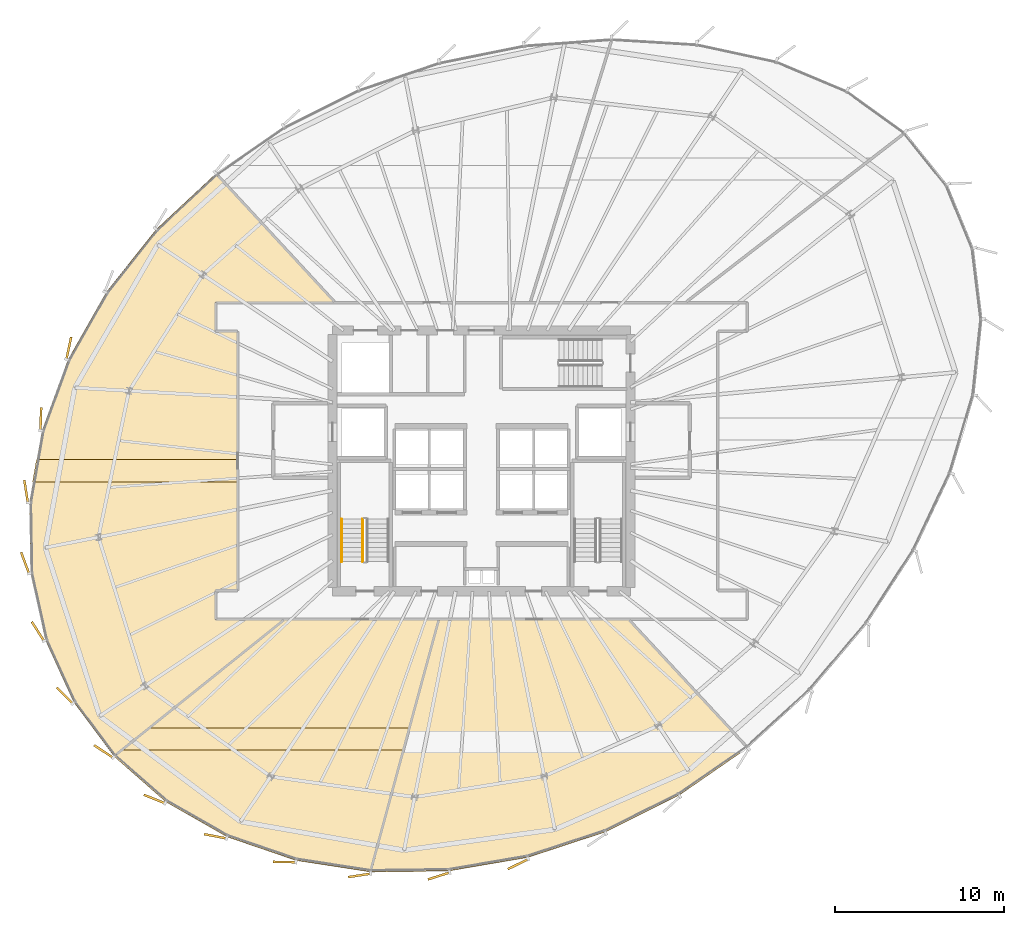
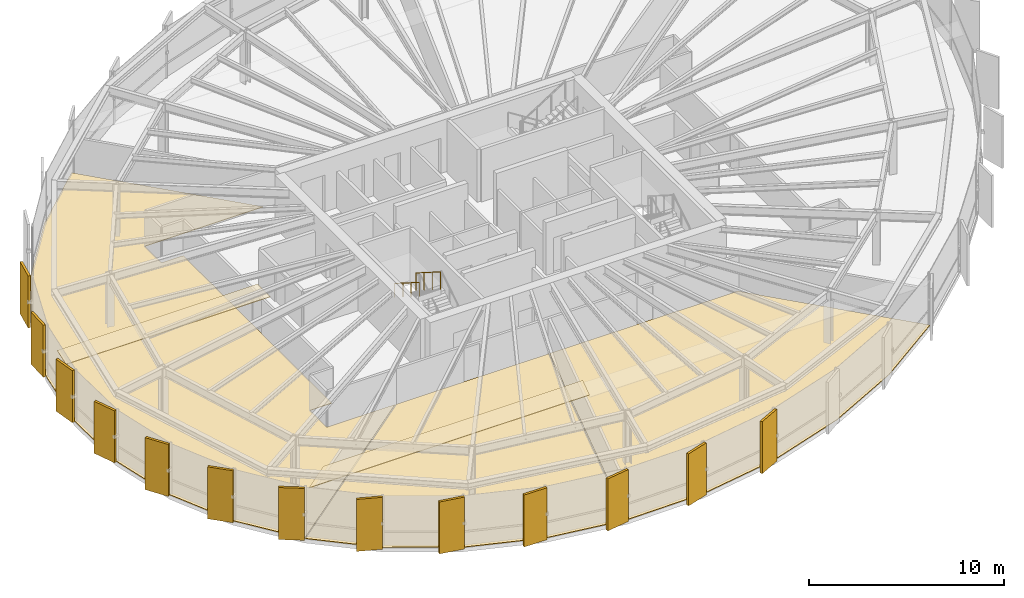
# One storey, part 29 of 32: 18 coverings, 2 railings.
"""IFC4 building model written with IfcOpenShell, lengths in metres."""

import ifcopenshell
import ifcopenshell.guid

model = None  # the IFC model being written
_history = None  # IfcOwnerHistory: only IFC2X3 demands one
_inside = {}  # id of a spatial element -> (the spatial element, [elements in it])
_under = {}  # id of a project, library or spatial element -> (it, [spatial elements below it])
_declared = {}  # id of a project -> (the project, [libraries it declares])
_typed = {}  # id of a type object -> (the type object, [elements of that type])
_made_of = {}  # id of a material, layer set ... -> (it, [elements and type objects made of it])


def new_model(schema):
    """Start an empty IFC model of exactly this schema.

    Asked for "IFC4X3", IfcOpenShell would pick the latest addendum, in which some entities
    have other attributes; the version numbers below select the first issue.
    IFC2X3 requires an IfcOwnerHistory on every rooted entity: one is made here for all.
    """
    global model, _history
    if schema == "IFC4X3":
        model = ifcopenshell.file(schema_version=(4, 3, 0, 0))
    else:
        model = ifcopenshell.file(schema=schema)
    _inside.clear()
    _under.clear()
    _declared.clear()
    _typed.clear()
    _made_of.clear()
    _history = None
    if model.schema == "IFC2X3":
        org = make("IfcOrganization", Name="unknown")
        user = make(
            "IfcPersonAndOrganization",
            ThePerson=make("IfcPerson", FamilyName="unknown"),
            TheOrganization=org,
        )
        app = make(
            "IfcApplication",
            ApplicationDeveloper=org,
            Version="unknown",
            ApplicationFullName="unknown",
            ApplicationIdentifier="unknown",
        )
        _history = make(
            "IfcOwnerHistory",
            OwningUser=user,
            OwningApplication=app,
            ChangeAction="ADDED",
            CreationDate=0,
        )
    return model


def make(cls, **values):
    """One entity of the class cls with the attributes given. An attribute that is None is left unset."""
    return model.create_entity(
        cls, **{name: value for name, value in values.items() if value is not None}
    )


def rooted(cls, **values):
    """An entity with a GlobalId (a new one), such as an element, a storey or a relation."""
    return make(cls, GlobalId=ifcopenshell.guid.new(), OwnerHistory=_history, **values)


def si_unit(unit_type, name, prefix=None):
    """IfcSIUnit, for example si_unit("LENGTHUNIT", "METRE", prefix="MILLI")."""
    return make("IfcSIUnit", UnitType=unit_type, Prefix=prefix, Name=name)


def assignment(units):
    """IfcUnitAssignment: the units of a project."""
    return None if units is None else make("IfcUnitAssignment", Units=units)


def point(xyz):
    """IfcCartesianPoint."""
    return None if xyz is None else make("IfcCartesianPoint", Coordinates=xyz)


def direction(xyz):
    """IfcDirection."""
    return None if xyz is None else make("IfcDirection", DirectionRatios=xyz)


def frame(location, z_axis=None, x_axis=None):
    """IfcAxis2Placement3D, a coordinate frame: its origin and axes. An axis left out is left unset."""
    return make(
        "IfcAxis2Placement3D",
        Location=point(location),
        Axis=direction(z_axis),
        RefDirection=direction(x_axis),
    )


def frame_2d(location, x_axis=None):
    """IfcAxis2Placement2D, a coordinate frame in the plane: its origin and x axis."""
    return make(
        "IfcAxis2Placement2D", Location=point(location), RefDirection=direction(x_axis)
    )


def origin():
    """The frame at (0, 0, 0) with its axes left unset."""
    return frame((0.0, 0.0, 0.0))


def origin_2d():
    """The frame at (0, 0) in the plane with its x axis left unset."""
    return frame_2d((0.0, 0.0))


def place(relative_to, where):
    """IfcLocalPlacement: puts the frame where relative to a parent placement (None: the world)."""
    return make(
        "IfcLocalPlacement", PlacementRelTo=relative_to, RelativePlacement=where
    )


def context(
    kind, dimensions, precision=None, world=None, true_north=None, identifier=None
):
    """IfcGeometricRepresentationContext, for example the 3D "Model" context."""
    return make(
        "IfcGeometricRepresentationContext",
        ContextIdentifier=identifier,
        ContextType=kind,
        CoordinateSpaceDimension=dimensions,
        Precision=precision,
        WorldCoordinateSystem=world,
        TrueNorth=true_north,
    )


def subcontext(parent, identifier, kind, view, scale=None):
    """IfcGeometricRepresentationSubContext, for example "Body" below "Model"."""
    return make(
        "IfcGeometricRepresentationSubContext",
        ContextIdentifier=identifier,
        ContextType=kind,
        ParentContext=parent,
        TargetScale=scale,
        TargetView=view,
    )


def project(units=None, contexts=None):
    """IfcProject with its units and contexts."""
    return rooted(
        "IfcProject",
        Name="project",
        RepresentationContexts=contexts,
        UnitsInContext=assignment(units),
    )


def spatial(cls, under=None, at=None, **own):
    """A site, building, storey or space (cls), placed at a placement, below another one or the project."""
    s = rooted(cls, ObjectPlacement=at, **own)
    if under is not None:
        _under.setdefault(under.id(), (under, []))[1].append(s)
    return s


def polyline(points):
    """IfcPolyline through the points."""
    return make("IfcPolyline", Points=[point(p) for p in points])


def profile(cls, at=None, kind="AREA", **sizes):
    """A parametric profile (cls). Its sizes go by their IFC names, for example OverallWidth=200.0."""
    return make(cls, ProfileType=kind, Position=at, **sizes)


def rectangle(**sizes):
    """IfcRectangleProfileDef."""
    return profile("IfcRectangleProfileDef", **sizes)


def circle(**sizes):
    """IfcCircleProfileDef."""
    return profile("IfcCircleProfileDef", **sizes)


def outline(outer, holes=None, kind="AREA"):
    """IfcArbitraryClosedProfileDef: a profile drawn as a closed curve; with holes, ...WithVoids."""
    if holes is None:
        return make("IfcArbitraryClosedProfileDef", ProfileType=kind, OuterCurve=outer)
    return make(
        "IfcArbitraryProfileDefWithVoids",
        ProfileType=kind,
        OuterCurve=outer,
        InnerCurves=holes,
    )


def extrude(swept, where, along, depth):
    """IfcExtrudedAreaSolid: the profile swept, set in the frame where, extruded along a direction by depth."""
    return make(
        "IfcExtrudedAreaSolid",
        SweptArea=swept,
        Position=where,
        ExtrudedDirection=direction(along),
        Depth=depth,
    )


def shape(context_of_items, identifier, shape_type, items):
    """IfcShapeRepresentation: the items that make up one representation, for example the "Body"."""
    return make(
        "IfcShapeRepresentation",
        ContextOfItems=context_of_items,
        RepresentationIdentifier=identifier,
        RepresentationType=shape_type,
        Items=items,
    )


def source(mapping_origin, context_of_items, identifier, shape_type, items):
    """IfcRepresentationMap: a shape defined once, which mapped items show again and again."""
    return make(
        "IfcRepresentationMap",
        MappingOrigin=mapping_origin,
        MappedRepresentation=shape(context_of_items, identifier, shape_type, items),
    )


def transform(
    local_origin,
    x_axis=None,
    y_axis=None,
    z_axis=None,
    scale=None,
    scale2=None,
    scale3=None,
    uniform=True,
):
    """IfcCartesianTransformationOperator3D, or its non-uniform kind. x_axis, y_axis, z_axis: its Axis1, 2, 3."""
    if uniform:
        return make(
            "IfcCartesianTransformationOperator3D",
            Axis1=direction(x_axis),
            Axis2=direction(y_axis),
            LocalOrigin=point(local_origin),
            Scale=scale,
            Axis3=direction(z_axis),
        )
    return make(
        "IfcCartesianTransformationOperator3DnonUniform",
        Axis1=direction(x_axis),
        Axis2=direction(y_axis),
        LocalOrigin=point(local_origin),
        Scale=scale,
        Axis3=direction(z_axis),
        Scale2=scale2,
        Scale3=scale3,
    )


def mapped(mapping_source, mapping_target):
    """IfcMappedItem: shows the shape of a source again, moved by a transform."""
    return make(
        "IfcMappedItem", MappingSource=mapping_source, MappingTarget=mapping_target
    )


def material(Name=None, Category=None):
    """IfcMaterial."""
    return make("IfcMaterial", Name=Name, Category=Category)


def layer(
    of_material, thickness, ventilated=None, Name=None, Category=None, Priority=None
):
    """IfcMaterialLayer: one layer of a wall or slab, of a material (None: an air gap)."""
    return make(
        "IfcMaterialLayer",
        Material=of_material,
        LayerThickness=thickness,
        IsVentilated=ventilated,
        Name=Name,
        Category=Category,
        Priority=Priority,
    )


def layer_set(layers, Name=None):
    """IfcMaterialLayerSet."""
    return make("IfcMaterialLayerSet", MaterialLayers=layers, LayerSetName=Name)


def made_of(thing, what):
    """Note that an element or type object is made of a material, layer set ...; save() writes the relation."""
    if what is not None:
        _made_of.setdefault(what.id(), (what, []))[1].append(thing)
    return thing


def type_object(cls, material=None, **own):
    """A type object (cls), such as IfcWallType, which elements share."""
    return made_of(rooted(cls, **own), material)


def element(
    cls,
    number,
    at=None,
    inside=None,
    cuts=None,
    type_object=None,
    material=None,
    context=None,
    identifier="Body",
    shape_type=None,
    held_by="IfcProductDefinitionShape",
    body=None,
    shapes=None,
    **own,
):
    """One element of the class cls, such as IfcWall. Its Tag is "e" and its number.

    at: its placement. inside: the storey or other place that contains it. cuts: it is an
    opening in that element (IfcRelVoidsElement). A single representation is given by context,
    identifier, shape_type and body (its items); several are given by shapes. held_by: the class
    of the entity that holds the representations. save() writes the other relations.
    """
    e = rooted(cls, Tag="e%d" % number, ObjectPlacement=at, **own)
    if body is not None:
        shapes = [shape(context, identifier, shape_type, body)]
    if shapes is not None:
        e.Representation = make(held_by, Representations=shapes)
    if inside is not None:
        _inside.setdefault(inside.id(), (inside, []))[1].append(e)
    if cuts is not None:
        rooted(
            "IfcRelVoidsElement", RelatingBuildingElement=cuts, RelatedOpeningElement=e
        )
    if type_object is not None:
        _typed.setdefault(type_object.id(), (type_object, []))[1].append(e)
    return made_of(e, material)


def aggregate(whole, parts):
    """IfcRelAggregates: a whole, such as a stair, and the parts it consists of."""
    return rooted("IfcRelAggregates", RelatingObject=whole, RelatedObjects=parts)


def save(model, path):
    """Write the relations noted so far, then the file.

    IfcRelAggregates (storeys below a building ...), IfcRelContainedInSpatialStructure (elements
    in a storey), IfcRelDefinesByType, IfcRelAssociatesMaterial and IfcRelDeclares: one each for
    every whole, place, type object, material and project.
    """
    for whole, parts in _under.values():
        aggregate(whole, parts)
    for where, things in _inside.values():
        rooted(
            "IfcRelContainedInSpatialStructure",
            RelatedElements=things,
            RelatingStructure=where,
        )
    for kind, things in _typed.values():
        rooted("IfcRelDefinesByType", RelatedObjects=things, RelatingType=kind)
    for what, things in _made_of.values():
        rooted("IfcRelAssociatesMaterial", RelatedObjects=things, RelatingMaterial=what)
    for by, libraries in _declared.values():
        rooted("IfcRelDeclares", RelatingContext=by, RelatedDefinitions=libraries)
    model.write(path)


model = new_model("IFC4")

# Units and contexts
model_context = context("Model", 3, precision=1e-05, world=origin(), true_north=direction((0.0, 1.0)))
body_context = subcontext(model_context, "Body", "Model", "MODEL_VIEW")
ifc_project = project(units=[si_unit("LENGTHUNIT", "METRE"), si_unit("AREAUNIT", "SQUARE_METRE"), si_unit("VOLUMEUNIT", "CUBIC_METRE"), si_unit("PLANEANGLEUNIT", "RADIAN"), si_unit("MASSUNIT", "GRAM", prefix="KILO"), si_unit("THERMODYNAMICTEMPERATUREUNIT", "KELVIN")], contexts=[model_context])

# Site, building, storey
site_placement = place(None, origin())
site = spatial("IfcSite", under=ifc_project, at=site_placement, CompositionType="ELEMENT")
building_placement = place(site_placement, origin())
building = spatial("IfcBuilding", under=site, at=building_placement, Name="Kethvar Cultural Tower", CompositionType="ELEMENT")
storey_placement = place(building_placement, frame((0.0, 0.0, 157.199951171875)))
storey = spatial("IfcBuildingStorey", under=building, at=storey_placement, Name="L40", CompositionType="ELEMENT", Elevation=157.199951171875)

# Coverings
ifc_material_1 = material(Name="Acoustic Mineral Fibre Ceiling")
ifc_layer_1 = layer(ifc_material_1, 0.0400390625, Name="Acoustic Mineral Fibre Ceiling")
ifc_layer_set_1 = layer_set([ifc_layer_1], Name="Acoustic Mineral Fibre Ceiling (40 mm)")
covering_type_1 = type_object("IfcCoveringType", Name="CV-ACOUSTIC-CEIL", PredefinedType="CEILING", material=ifc_layer_set_1)
covering_1_placement = place(storey_placement, frame((0.0, 0.0, 2.780029296875)))
element("IfcCovering", 1, at=covering_1_placement, inside=storey, type_object=covering_type_1, Name="L40 Room 01 Acoustic Ceiling Panel", PredefinedType="CEILING", context=body_context, shape_type="SweptSolid", body=[
    extrude(outline(polyline([(27.184326171875, 12.040283203125), (42.577880859375, 12.040283203125), (42.225341796875, 10.730224609375), (25.556396484375, 10.730224609375), (27.184326171875, 12.040283203125)])), origin(), (0.0, 0.0, 1.0), 0.0400390625),
])
covering_2_placement = place(storey_placement, frame((0.0, 0.0, 2.780029296875)))
element("IfcCovering", 2, at=covering_2_placement, inside=storey, type_object=covering_type_1, Name="L40 Room 06 Acoustic Ceiling Panel", PredefinedType="CEILING", context=body_context, shape_type="SweptSolid", body=[
    extrude(outline(polyline([(20.519287109375, 27.87060546875), (32.419921875, 27.87060546875), (32.419921875, 26.560546875), (20.29052734375, 26.560546875), (20.519287109375, 27.87060546875)])), origin(), (0.0, 0.0, 1.0), 0.0400390625),
])
ifc_material_2 = material(Name="Honed Warm Limestone", Category="masonry")
ifc_layer_2 = layer(ifc_material_2, 0.030029296875, Name="Honed Warm Limestone", Category="masonry")
ifc_layer_set_2 = layer_set([ifc_layer_2], Name="Honed Warm Limestone (30 mm)")
covering_type_2 = type_object("IfcCoveringType", Name="CV-STONE-FLOOR", PredefinedType="FLOORING", material=ifc_layer_set_2)
covering_3_placement = place(storey_placement, origin())
element("IfcCovering", 3, at=covering_3_placement, inside=storey, type_object=covering_type_2, Name="L40 Room 01 Floor Finish", PredefinedType="FLOORING", context=body_context, shape_type="SweptSolid", body=[
    extrude(outline(polyline([(35.857666015625, 4.211181640625), (31.784912109375, 5.60546875), (28.16845703125, 7.673828125), (25.134521484375, 10.339111328125), (35.188232421875, 18.429931640625), (44.2568359375, 18.429931640625), (40.2470703125, 3.535888671875), (35.857666015625, 4.211181640625)])), origin(), (0.0, 0.0, 1.0), 0.030029296875),
])
covering_4_placement = place(storey_placement, origin())
element("IfcCovering", 4, at=covering_4_placement, inside=storey, type_object=covering_type_2, Name="L40 Room 02 Floor Finish", PredefinedType="FLOORING", context=body_context, shape_type="SweptSolid", body=[
    extrude(outline(polyline([(58.46923828125, 8.068359375), (54.111083984375, 5.8955078125), (49.53076171875, 4.388671875), (44.86767578125, 3.59326171875), (40.2880859375, 3.53369140625), (44.298095703125, 18.429931640625), (55.468017578125, 18.429931640625), (62.498291015625, 10.85400390625), (58.46923828125, 8.068359375)])), origin(), (0.0, 0.0, 1.0), 0.030029296875),
])
covering_5_placement = place(storey_placement, origin())
element("IfcCovering", 5, at=covering_5_placement, inside=storey, type_object=covering_type_2, Name="L40 Room 06 Floor Finish", PredefinedType="FLOORING", context=body_context, shape_type="SweptSolid", body=[
    extrude(outline(polyline([(22.7265625, 13.56298828125), (21.066162109375, 17.205078125), (20.1875, 21.1689453125), (20.1171875, 25.33447265625), (20.857421875, 29.5751953125), (22.385986328125, 33.76220703125), (24.656494140625, 37.768310546875), (27.60009765625, 41.471435546875), (31.113525390625, 44.74658203125), (38.114501953125, 37.169921875), (31.080322265625, 37.15380859375), (31.08447265625, 35.437255859375), (32.3798828125, 35.429931640625), (32.3798828125, 20.169921875), (31.08447265625, 20.16259765625), (31.080322265625, 18.446044921875), (35.12451171875, 18.429931640625), (25.10693359375, 10.368408203125), (22.7265625, 13.56298828125)])), origin(), (0.0, 0.0, 1.0), 0.030029296875),
])

# Railings
ifc_material_3 = material(Name="Steel S355J2", Category="steel")
railing_type_1 = type_object("IfcRailingType", Name="RL-STAIR-GUARD", PredefinedType="BALUSTRADE", material=ifc_material_3)
railing_1_placement = place(storey_placement, frame((39.7900390625, 24.3701171875, 1.95263671875)))
element("IfcRailing", 6, at=railing_1_placement, inside=storey, type_object=railing_type_1, Name="L40 ST-01 stair guard 3", PredefinedType="BALUSTRADE", context=body_context, shape_type="SweptSolid", body=[
    extrude(circle(Radius=0.02392578125, at=origin_2d()), frame((0.0, 0.0, 1.09619140625), z_axis=(0.0, -0.84460694969, 0.535386869969), x_axis=(1.0, 0.0, 0.0)), (0.0, 0.0, 1.0), 2.983642578125),
    extrude(circle(Radius=0.02099609375, at=origin_2d()), origin(), (0.0, 0.0, 1.0), 1.072021484375),
    extrude(circle(Radius=0.02099609375, at=origin_2d()), frame((0.0, -0.840087890625, 0.532470703125)), (0.0, 0.0, 1.0), 1.072021484375),
    extrude(circle(Radius=0.02099609375, at=origin_2d()), frame((0.0, -1.679931640625, 1.06494140625)), (0.0, 0.0, 1.0), 1.072021484375),
    extrude(circle(Radius=0.02099609375, at=origin_2d()), frame((0.0, -2.52001953125, 1.597412109375)), (0.0, 0.0, 1.0), 1.072021484375),
])
railing_type_2 = type_object("IfcRailingType", Name="RL-STAIR-HANDRAIL", PredefinedType="HANDRAIL", material=ifc_material_3)
railing_2_placement = place(storey_placement, frame((38.5400390625, 24.3701171875, 1.95263671875)))
element("IfcRailing", 7, at=railing_2_placement, inside=storey, type_object=railing_type_2, Name="L40 ST-01 stair handrail 2", PredefinedType="HANDRAIL", context=body_context, shape_type="SweptSolid", body=[
    extrude(circle(Radius=0.02392578125, at=origin_2d()), frame((0.0, 0.0, 0.8759765625), z_axis=(0.0, -0.84460694969, 0.535386869969), x_axis=(1.0, 0.0, 0.0)), (0.0, 0.0, 1.0), 2.983642578125),
    extrude(circle(Radius=0.02099609375, at=origin_2d()), origin(), (0.0, 0.0, 1.0), 0.851806640625),
    extrude(circle(Radius=0.02099609375, at=origin_2d()), frame((0.0, -0.840087890625, 0.532470703125)), (0.0, 0.0, 1.0), 0.851806640625),
    extrude(circle(Radius=0.02099609375, at=origin_2d()), frame((0.0, -1.679931640625, 1.06494140625)), (0.0, 0.0, 1.0), 0.851806640625),
    extrude(circle(Radius=0.02099609375, at=origin_2d()), frame((0.0, -2.52001953125, 1.597412109375)), (0.0, 0.0, 1.0), 0.851806640625),
])

# Coverings
ifc_material_4 = material(Name="Extruded Architectural Terracotta", Category="masonry")
ifc_layer_3 = layer(ifc_material_4, 0.135009765625, Name="Extruded Architectural Terracotta", Category="masonry")
ifc_layer_set_3 = layer_set([ifc_layer_3], Name="Extruded Architectural Terracotta (135 mm)")
covering_type_3 = type_object("IfcCoveringType", Name="Terracotta Facade Fin FIN-02", PredefinedType="CLADDING", material=ifc_layer_set_3)
shared_shape = source(origin(), body_context, "Body", "SweptSolid", [
    extrude(rectangle(XDim=1.35009765625, YDim=0.135009765625, at=origin_2d()), origin(), (0.0, 0.0, 1.0), 3.260009765625),
])
for number, where, z_axis, x_axis, name in (
    (8, (22.43359375, 34.458251953125, 0.02001953125), (0.0, 0.0, 1.0), (0.208935890402, 0.977929339831, 0.0), "L40 Vertical Terracotta Fin 3.2"),
    (9, (20.781494140625, 30.268798828125, 0.02001953125), (0.0, 0.0, 1.0), (0.033155178389, 0.999450215942, 0.0), "L40 Vertical Terracotta Fin 3.3"),
    (10, (19.911865234375, 26.00146484375, 0.02001953125), (0.0, 0.0, 1.0), (-0.155917291214, 0.987770114096, 0.0), "L40 Vertical Terracotta Fin 3.4"),
    (11, (19.85302734375, 21.781494140625, 0.02001953125), (0.0, 0.0, 1.0), (-0.350207381259, 0.936672189248, 0.0), "L40 Vertical Terracotta Fin 3.5"),
    (12, (20.611572265625, 17.734619140625, 0.02001953125), (0.0, 0.0, 1.0), (-0.537446799739, 0.843297656495, 0.0), "L40 Vertical Terracotta Fin 3.6"),
    (13, (22.193603515625, 13.95361328125, 0.02001953125), (0.0, 0.0, 1.0), (-0.703270634186, 0.710922228581, 0.0), "L40 Vertical Terracotta Fin 4.1"),
    (14, (24.486328125, 10.650390625, 0.02001953125), (0.0, 0.0, 1.0), (-0.835807361368, 0.549022817998, 0.0), "L40 Vertical Terracotta Fin 4.2"),
    (15, (27.489990234375, 7.83837890625, 0.02001953125), (0.0, 0.0, 1.0), (-0.928680147341, 0.370881630624, 0.0), "L40 Vertical Terracotta Fin 4.3"),
    (16, (31.087890625, 5.63916015625, 0.02001953125), (0.0, 0.0, 1.0), (-0.981958712696, 0.18909544299, 0.0), "L40 Vertical Terracotta Fin 4.4"),
    (17, (35.165771484375, 4.12109375, 0.02001953125), (0.0, 0.0, 1.0), (-0.99991659691, 0.0129150774, 0.0), "L40 Vertical Terracotta Fin 4.5"),
    (18, (39.595703125, 3.330810546875, 0.02001953125), (0.0, 0.0, 1.0), (-0.988388045954, -0.151950882248, 0.0), "L40 Vertical Terracotta Fin 4.6"),
    (19, (44.278076171875, 3.2958984375, 0.02001953125), (0.0, 0.0, 1.0), (-0.952767550771, -0.303700500819, 0.0), "L40 Vertical Terracotta Fin 5.1"),
    (20, (48.955078125, 3.9951171875, 0.02001953125), (0.0, 0.0, 1.0), (-0.897181298701, -0.441662447194, 0.0), "L40 Vertical Terracotta Fin 5.2"),
):
    element("IfcCovering", number, at=place(storey_placement, frame(where, z_axis=z_axis, x_axis=x_axis)), inside=storey, type_object=covering_type_3, Name=name, PredefinedType="CLADDING", context=body_context, shape_type="MappedRepresentation", body=[
        mapped(shared_shape, transform((0.0, 0.0, 0.0), scale=1.0)),
    ])

save(model, "model.ifc")
